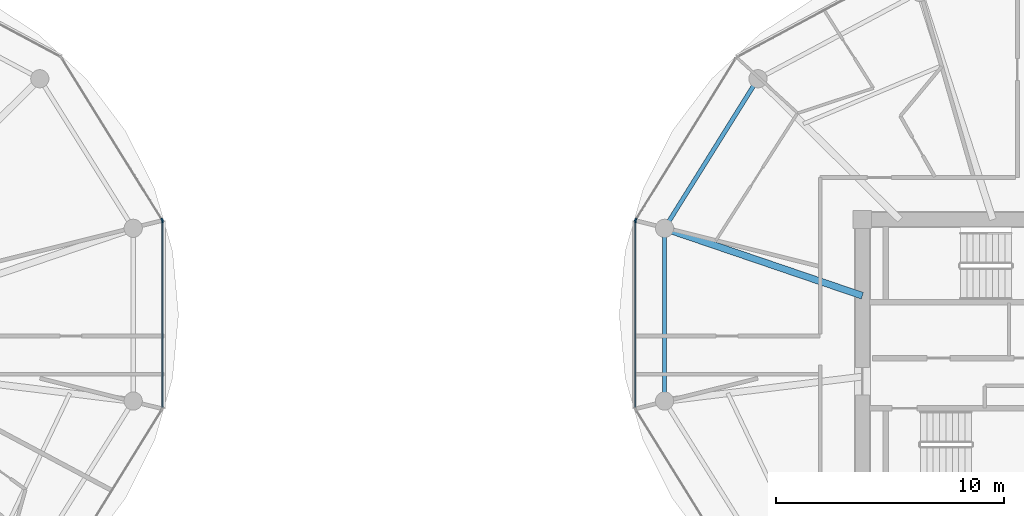
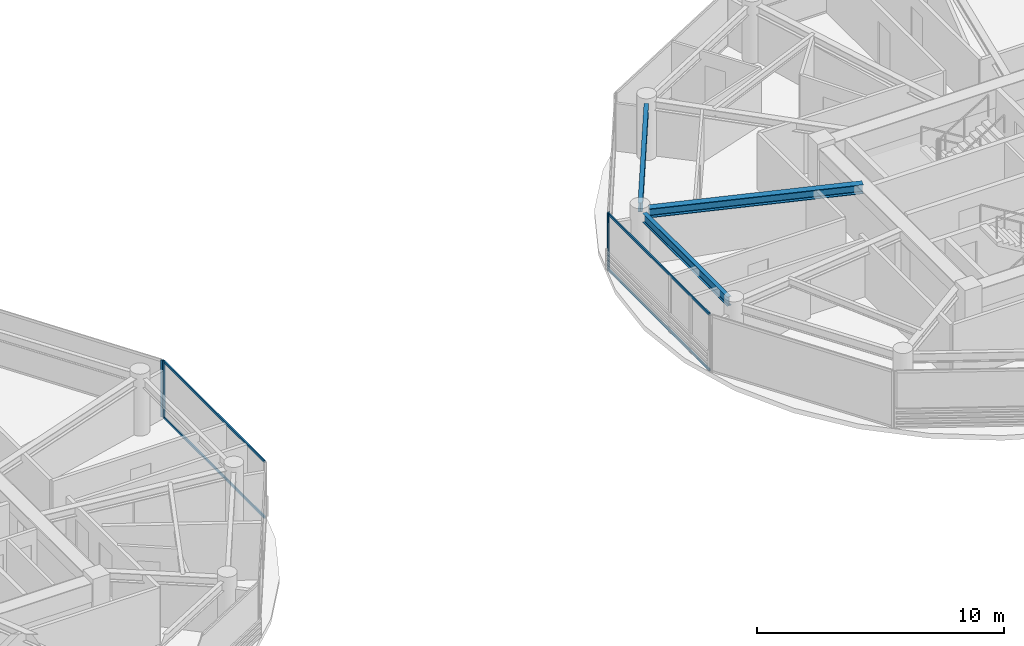
# One storey, part 7 of 23: 8 members, 3 beams, 4 elements without a shape of their own.
"""IFC4 building model written with IfcOpenShell, lengths in metres."""

from ifc_helpers import new_model, si_unit, direction, frame, origin, origin_2d, place, context, subcontext, project, spatial, rectangle, i_section, extrude, source, transform, mapped, material, layer, layer_set, material_profile, profile_set, type_object, type_shapes, element, aggregate, save


model = new_model("IFC4")

# Units and contexts
model_context = context("Model", 3, precision=1e-05, world=origin(), true_north=direction((0.0, 1.0)))
body_context = subcontext(model_context, "Body", "Model", "MODEL_VIEW")
ifc_project = project(units=[si_unit("LENGTHUNIT", "METRE"), si_unit("AREAUNIT", "SQUARE_METRE"), si_unit("VOLUMEUNIT", "CUBIC_METRE"), si_unit("PLANEANGLEUNIT", "RADIAN"), si_unit("MASSUNIT", "GRAM", prefix="KILO")], contexts=[model_context])

# Site, building, storey
site_placement = place(None, origin())
site = spatial("IfcSite", under=ifc_project, at=site_placement, CompositionType="ELEMENT")
building_placement = place(site_placement, origin())
building = spatial("IfcBuilding", under=site, at=building_placement, Name="Norrkilde Senior Care Towers", CompositionType="ELEMENT")
storey_placement = place(building_placement, frame((0.0, 0.0, 164.800048828125)))
storey = spatial("IfcBuildingStorey", under=building, at=storey_placement, Name="L51", CompositionType="ELEMENT", Elevation=164.800048828125)

# Beams
ifc_material_1 = material(Name="Steel S355", Category="steel")
ifc_material_profile_1 = material_profile(ifc_material_1, i_section(OverallWidth=0.18994140625, OverallDepth=0.449951171875, WebThickness=0.009521484375, FlangeThickness=0.0146484375, FilletRadius=0.02099609375, at=origin_2d()), Name="IPE 450")
ifc_profile_set_1 = profile_set([ifc_material_profile_1], Name="Steel S355")
beam_type_1 = type_object("IfcBeamType", Name="Perimeter Ring Spandrel Z3 IPE450", PredefinedType="SPANDREL", material=ifc_profile_set_1)
shared_shape_1 = source(origin(), body_context, "Body", "SweptSolid", [
    extrude(i_section(OverallWidth=0.18994140625, OverallDepth=0.449951171875, WebThickness=0.009521484375, FlangeThickness=0.0146484375, FilletRadius=0.02099609375, at=origin_2d()), origin(), (0.0, 0.0, 1.0), 7.0234375),
])
beam_1_placement = place(storey_placement, frame((15.57666015625, 11.8291015625, 2.5849609375), z_axis=(-0.529789577822, -0.848129119433, 0.0), x_axis=(0.848129119433, -0.529789577822, 0.0)))
element("IfcBeam", 1, at=beam_1_placement, inside=storey, type_object=beam_type_1, Name="L51 Drum E Perimeter Spandrel 05", PredefinedType="SPANDREL", context=body_context, shape_type="MappedRepresentation", body=[
    mapped(shared_shape_1, transform((0.0, 0.0, 0.0), x_axis=(1.0, 0.0, 0.0), y_axis=(0.0, 1.0, 0.0), z_axis=(0.0, 0.0, 1.0), scale=1.0)),
])
ifc_material_profile_2 = material_profile(ifc_material_1, i_section(OverallWidth=0.300048828125, OverallDepth=0.449951171875, WebThickness=0.013916015625, FlangeThickness=0.02587890625, FilletRadius=0.027099609375, at=origin_2d()), Name="HEB 450")
ifc_profile_set_2 = profile_set([ifc_material_profile_2], Name="Steel S355")
beam_type_2 = type_object("IfcBeamType", Name="Radial Floor Beam Z3 HEB450", PredefinedType="BEAM", material=ifc_profile_set_2)
shared_shape_2 = source(origin(), body_context, "Body", "SweptSolid", [
    extrude(i_section(OverallWidth=0.300048828125, OverallDepth=0.449951171875, WebThickness=0.013916015625, FlangeThickness=0.02587890625, FilletRadius=0.027099609375, at=origin_2d()), origin(), (0.0, 0.0, 1.0), 8.8154296875),
])
type_shapes(beam_type_2, [shared_shape_2])
beam_2_placement = place(storey_placement, frame((20.35009765625, 2.607177734375, 2.5849609375), z_axis=(-0.946540556878, 0.322584832539, 0.0), x_axis=(-0.322584832539, -0.946540556878, 0.0)))
element("IfcBeam", 2, at=beam_2_placement, inside=storey, type_object=beam_type_2, Name="L51 Drum E Radial Floor Beam 06", PredefinedType="BEAM", context=body_context, shape_type="MappedRepresentation", body=[
    mapped(shared_shape_2, transform((0.0, 0.0, 0.0), x_axis=(1.0, 0.0, 0.0), y_axis=(0.0, 1.0, 0.0), z_axis=(0.0, 0.0, 1.0), scale=1.0)),
])
shared_shape_3 = source(origin(), body_context, "Body", "SweptSolid", [
    extrude(i_section(OverallWidth=0.18994140625, OverallDepth=0.449951171875, WebThickness=0.009521484375, FlangeThickness=0.0146484375, FilletRadius=0.02099609375, at=origin_2d()), origin(), (0.0, 0.0, 1.0), 6.86328125),
])
type_shapes(beam_type_1, [shared_shape_1, shared_shape_3])
beam_3_placement = place(storey_placement, frame((11.6650390625, 5.20703125, 2.5849609375), z_axis=(0.0, -1.0, 0.0), x_axis=(1.0, 0.0, 0.0)))
element("IfcBeam", 3, at=beam_3_placement, inside=storey, type_object=beam_type_1, Name="L51 Drum E Perimeter Spandrel 06", PredefinedType="SPANDREL", context=body_context, shape_type="MappedRepresentation", body=[
    mapped(shared_shape_3, transform((0.0, 0.0, 0.0), x_axis=(1.0, 0.0, 0.0), y_axis=(0.0, 1.0, 0.0), z_axis=(0.0, 0.0, 1.0), scale=1.0)),
])

# Curtain wall, member
ifc_material_2 = material(Name="Triple Low-E Insulated Glazing", Category="glass")
ifc_layer = layer(ifc_material_2, 0.18994140625)
ifc_layer_set = layer_set([ifc_layer], Name="Triple Low-E Insulated Glazing")
curtain_wall_type = type_object("IfcCurtainWallType", Name="CW4 Zone 3 Senior Residence Curtain Wall", PredefinedType="NOTDEFINED", material=ifc_layer_set)
curtain_wall_1_placement = place(storey_placement, origin())
curtain_wall_1 = element("IfcCurtainWall", 4, at=curtain_wall_1_placement, inside=storey, type_object=curtain_wall_type, Name="L51 Drum W Curtain Wall 00", PredefinedType="NOTDEFINED")
ifc_material_3 = material(Name="Anodised Aluminium", Category="aluminium")
ifc_material_profile_3 = material_profile(ifc_material_3, rectangle(XDim=0.06494140625, YDim=0.14990234375, at=origin_2d()), Name="ALU MULL 65x150")
ifc_profile_set_3 = profile_set([ifc_material_profile_3], Name="Anodised Aluminium")
member_type_1 = type_object("IfcMemberType", Name="Curtain Wall Mullion Z3-Z4 65x150", PredefinedType="MULLION", material=ifc_profile_set_3)
shared_shape_4 = source(origin(), body_context, "Body", "SweptSolid", [
    extrude(rectangle(XDim=0.06494140625, YDim=0.14990234375, at=origin_2d()), origin(), (0.0, 0.0, 1.0), 2.81005859375),
])
type_shapes(member_type_1, [shared_shape_4])
member_1_placement = place(storey_placement, frame((-10.3974609375, 5.93896484375, 0.0), z_axis=(0.0, 0.0, 1.0), x_axis=(0.84963405474, 0.52737270789, 0.0)))
member_1 = element("IfcMember", 5, at=member_1_placement, type_object=member_type_1, Name="CW-4 mullion 2", PredefinedType="MULLION", context=body_context, shape_type="MappedRepresentation", body=[
    mapped(shared_shape_4, transform((0.0, 0.0, 0.0), x_axis=(1.0, 0.0, 0.0), y_axis=(0.0, 1.0, 0.0), z_axis=(0.0, 0.0, 1.0), scale=1.0)),
])
aggregate(curtain_wall_1, [member_1])

curtain_wall_2_placement = place(storey_placement, origin())
curtain_wall_2 = element("IfcCurtainWall", 6, at=curtain_wall_2_placement, inside=storey, type_object=curtain_wall_type, Name="L51 Drum W Curtain Wall 11", PredefinedType="NOTDEFINED")
member_2_placement = place(storey_placement, frame((-10.38037109375, 5.878662109375, 0.0), z_axis=(0.0, 0.0, 1.0), x_axis=(1.0, 0.0, 0.0)))
member_2 = element("IfcMember", 7, at=member_2_placement, type_object=member_type_1, Name="CW-4 mullion 1", PredefinedType="MULLION", context=body_context, shape_type="MappedRepresentation", body=[
    mapped(shared_shape_4, transform((0.0, 0.0, 0.0), x_axis=(1.0, 0.0, 0.0), y_axis=(0.0, 1.0, 0.0), z_axis=(0.0, 0.0, 1.0), scale=1.0)),
])

curtain_wall_3_placement = place(storey_placement, origin())
curtain_wall_3 = element("IfcCurtainWall", 8, at=curtain_wall_3_placement, inside=storey, type_object=curtain_wall_type, Name="L51 Drum E Curtain Wall 04", PredefinedType="NOTDEFINED")
member_3_placement = place(storey_placement, frame((10.3974609375, 5.93896484375, 0.0), z_axis=(0.0, 0.0, 1.0), x_axis=(-0.84963405474, 0.52737270789, 0.0)))
member_3 = element("IfcMember", 9, at=member_3_placement, type_object=member_type_1, Name="CW-4 mullion 1", PredefinedType="MULLION", context=body_context, shape_type="MappedRepresentation", body=[
    mapped(shared_shape_4, transform((0.0, 0.0, 0.0), x_axis=(1.0, 0.0, 0.0), y_axis=(0.0, 1.0, 0.0), z_axis=(0.0, 0.0, 1.0), scale=1.0)),
])
aggregate(curtain_wall_3, [member_3])

curtain_wall_4_placement = place(storey_placement, origin())
curtain_wall_4 = element("IfcCurtainWall", 10, at=curtain_wall_4_placement, inside=storey, type_object=curtain_wall_type, Name="L51 Drum E Curtain Wall 05", PredefinedType="NOTDEFINED")
member_4_placement = place(storey_placement, frame((10.38037109375, 5.878662109375, 0.0), z_axis=(0.0, 0.0, 1.0), x_axis=(-1.0, 0.0, 0.0)))
member_4 = element("IfcMember", 11, at=member_4_placement, type_object=member_type_1, Name="CW-4 mullion 2", PredefinedType="MULLION", context=body_context, shape_type="MappedRepresentation", body=[
    mapped(shared_shape_4, transform((0.0, 0.0, 0.0), x_axis=(1.0, 0.0, 0.0), y_axis=(0.0, 1.0, 0.0), z_axis=(0.0, 0.0, 1.0), scale=1.0)),
])

# Member
ifc_material_profile_4 = material_profile(ifc_material_3, rectangle(XDim=0.06005859375, YDim=0.1201171875, at=origin_2d()), Name="ALU TRAN 60x120")
ifc_profile_set_4 = profile_set([ifc_material_profile_4], Name="Anodised Aluminium")
member_type_2 = type_object("IfcMemberType", Name="Curtain Wall Transom Typical 60x120", PredefinedType="USERDEFINED", material=ifc_profile_set_4)
shared_shape_5 = source(origin(), body_context, "Body", "SweptSolid", [
    extrude(rectangle(XDim=0.06005859375, YDim=0.1201171875, at=origin_2d()), origin(), (0.0, 0.0, 1.0), 8.141845703125),
])
type_shapes(member_type_2, [shared_shape_5])
member_5_placement = place(storey_placement, frame((-10.38037109375, 5.84619140625, 0.030029296875), z_axis=(0.0, -1.0, 0.0), x_axis=(1.0, 0.0, 0.0)))
member_5 = element("IfcMember", 12, at=member_5_placement, type_object=member_type_2, Name="CW-4 transom 1.1", ObjectType="TRANSOM", PredefinedType="USERDEFINED", context=body_context, shape_type="MappedRepresentation", body=[
    mapped(shared_shape_5, transform((0.0, 0.0, 0.0), x_axis=(1.0, 0.0, 0.0), y_axis=(0.0, 1.0, 0.0), z_axis=(0.0, 0.0, 1.0), scale=1.0)),
])

member_6_placement = place(storey_placement, frame((-10.38037109375, 5.84619140625, 2.780029296875), z_axis=(0.0, -1.0, 0.0), x_axis=(1.0, 0.0, 0.0)))
member_6 = element("IfcMember", 13, at=member_6_placement, type_object=member_type_2, Name="CW-4 transom 1.2", ObjectType="TRANSOM", PredefinedType="USERDEFINED", context=body_context, shape_type="MappedRepresentation", body=[
    mapped(shared_shape_5, transform((0.0, 0.0, 0.0), x_axis=(1.0, 0.0, 0.0), y_axis=(0.0, 1.0, 0.0), z_axis=(0.0, 0.0, 1.0), scale=1.0)),
])

aggregate(curtain_wall_2, [member_2, member_5, member_6])

member_7_placement = place(storey_placement, frame((10.38037109375, -2.295654296875, 0.030029296875), z_axis=(0.0, 1.0, 0.0), x_axis=(-1.0, 0.0, 0.0)))
member_7 = element("IfcMember", 14, at=member_7_placement, type_object=member_type_2, Name="CW-4 transom 1.1", ObjectType="TRANSOM", PredefinedType="USERDEFINED", context=body_context, shape_type="MappedRepresentation", body=[
    mapped(shared_shape_5, transform((0.0, 0.0, 0.0), x_axis=(1.0, 0.0, 0.0), y_axis=(0.0, 1.0, 0.0), z_axis=(0.0, 0.0, 1.0), scale=1.0)),
])

member_8_placement = place(storey_placement, frame((10.38037109375, -2.295654296875, 2.780029296875), z_axis=(0.0, 1.0, 0.0), x_axis=(-1.0, 0.0, 0.0)))
member_8 = element("IfcMember", 15, at=member_8_placement, type_object=member_type_2, Name="CW-4 transom 1.2", ObjectType="TRANSOM", PredefinedType="USERDEFINED", context=body_context, shape_type="MappedRepresentation", body=[
    mapped(shared_shape_5, transform((0.0, 0.0, 0.0), x_axis=(1.0, 0.0, 0.0), y_axis=(0.0, 1.0, 0.0), z_axis=(0.0, 0.0, 1.0), scale=1.0)),
])

aggregate(curtain_wall_4, [member_4, member_7, member_8])

save(model, "model.ifc")
